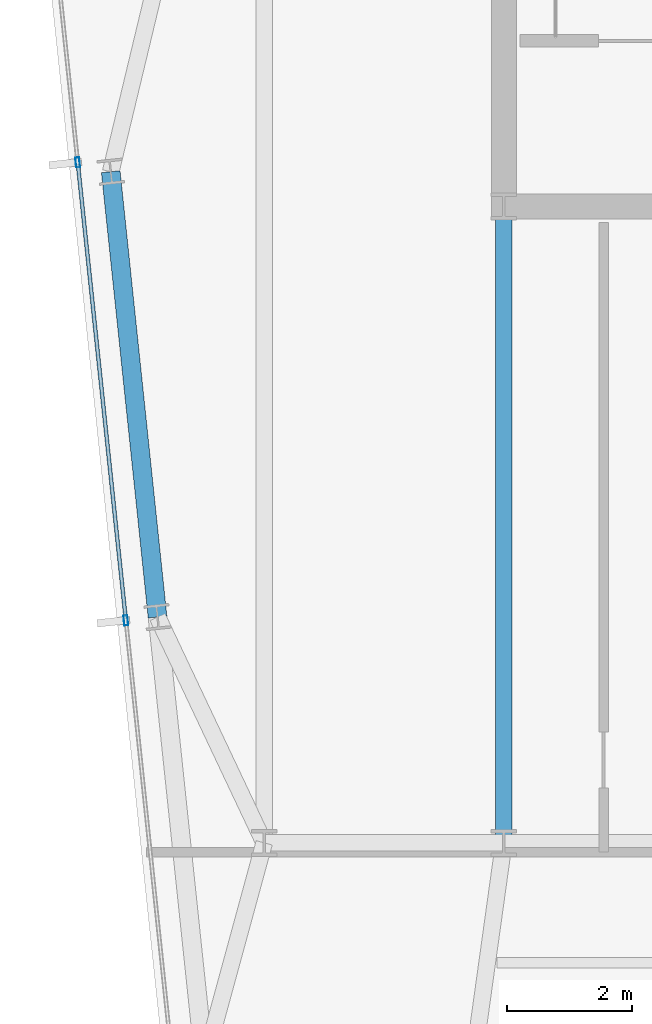
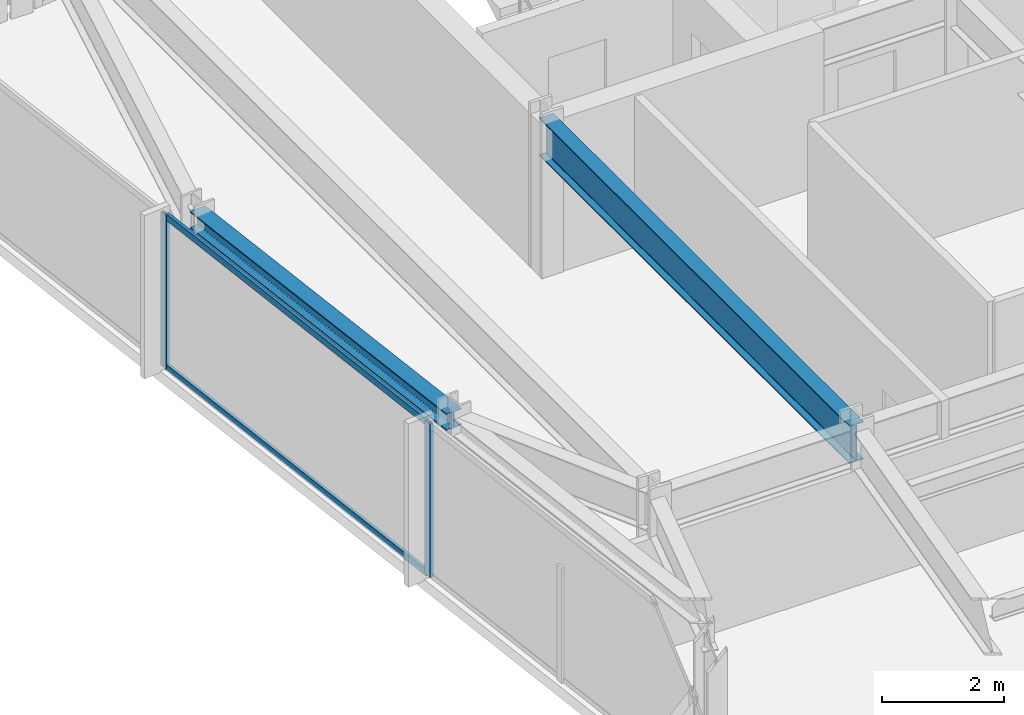
# One storey, part 10 of 33: 4 members, 2 beams, 1 element without a shape of its own.
"""IFC4 building model written with IfcOpenShell, lengths in metres."""

from ifc_helpers import new_model, si_unit, direction, frame, origin, origin_2d, place, context, subcontext, project, spatial, hollow_rectangle, i_section, extrude, material, material_profile, profile_set, type_object, element, aggregate, save


model = new_model("IFC4")

# Units and contexts
model_context = context("Model", 3, precision=1e-05, world=origin(), true_north=direction((0.0, 1.0)))
body_context = subcontext(model_context, "Body", "Model", "MODEL_VIEW")
ifc_project = project(units=[si_unit("LENGTHUNIT", "METRE"), si_unit("AREAUNIT", "SQUARE_METRE"), si_unit("VOLUMEUNIT", "CUBIC_METRE"), si_unit("PLANEANGLEUNIT", "RADIAN"), si_unit("MASSUNIT", "GRAM", prefix="KILO")], contexts=[model_context])

# Site, building, storey
site_placement = place(None, origin())
site = spatial("IfcSite", under=ifc_project, at=site_placement, CompositionType="ELEMENT")
building_placement = place(site_placement, origin())
building = spatial("IfcBuilding", under=site, at=building_placement, Name="Yelkora Congress Tower", CompositionType="ELEMENT")
storey_placement = place(building_placement, frame((0.0, 0.0, 237.5)))
storey = spatial("IfcBuildingStorey", under=building, at=storey_placement, Name="L66", CompositionType="ELEMENT", Elevation=237.5)

# Beams
ifc_material_1 = material(Name="Steel S355J2", Category="steel")
ifc_material_profile_1 = material_profile(ifc_material_1, i_section(OverallWidth=0.26708984375, OverallDepth=0.761962890625, WebThickness=0.014404296875, FlangeThickness=0.021484375, FilletRadius=0.01708984375, at=origin_2d()), Name="IPE 750x173")
ifc_profile_set_1 = profile_set([ifc_material_profile_1], Name="Steel S355J2")
beam_type_1 = type_object("IfcBeamType", Name="BM-GIRD-IPE750", PredefinedType="BEAM", material=ifc_profile_set_1)
beam_1_placement = place(storey_placement, frame((23.0400390625, 25.199951171875, 2.698974609375), z_axis=(0.0, 1.0, 0.0), x_axis=(-1.0, 0.0, 0.0)))
element("IfcBeam", 1, at=beam_1_placement, inside=storey, type_object=beam_type_1, Name="L66 Core Tie Girder MC-D1", PredefinedType="BEAM", context=body_context, shape_type="SweptSolid", body=[
    extrude(i_section(OverallWidth=0.26708984375, OverallDepth=0.761962890625, WebThickness=0.014404296875, FlangeThickness=0.021484375, FilletRadius=0.01708984375, at=origin_2d()), origin(), (0.0, 0.0, 1.0), 10.199951171875),
])
ifc_material_profile_2 = material_profile(ifc_material_1, i_section(OverallWidth=0.300048828125, OverallDepth=0.340087890625, WebThickness=0.011962890625, FlangeThickness=0.021484375, FilletRadius=0.027099609375, at=origin_2d()), Name="HEB 340")
ifc_profile_set_2 = profile_set([ifc_material_profile_2], Name="Steel S355J2")
beam_type_2 = type_object("IfcBeamType", Name="BM-SPAN-HEB340", PredefinedType="SPANDREL", material=ifc_profile_set_2)
beam_2_placement = place(storey_placement, frame((16.7412109375, 35.95458984375, 2.909912109375), z_axis=(0.104528914631, -0.994521847928, 0.0), x_axis=(0.994521847928, 0.104528914631, 0.0)))
element("IfcBeam", 2, at=beam_2_placement, inside=storey, type_object=beam_type_2, Name="L66 Perimeter Beam 17", PredefinedType="SPANDREL", context=body_context, shape_type="SweptSolid", body=[
    extrude(i_section(OverallWidth=0.300048828125, OverallDepth=0.340087890625, WebThickness=0.011962890625, FlangeThickness=0.021484375, FilletRadius=0.027099609375, at=origin_2d()), origin(), (0.0, 0.0, 1.0), 7.175048828125),
])

# Curtain wall, members
ifc_material_2 = material(Name="Anodised aluminium and insulated glass", Category="aluminium")
curtain_wall_type = type_object("IfcCurtainWallType", Name="CW-SYS-B4", PredefinedType="NOTDEFINED", material=ifc_material_2)
curtain_wall_placement = place(storey_placement, origin())
curtain_wall = element("IfcCurtainWall", 3, at=curtain_wall_placement, inside=storey, type_object=curtain_wall_type, Name="L66 Unitised Curtain Wall 5", PredefinedType="NOTDEFINED")
ifc_material_3 = material(Name="Anodised aluminium 6063-T6", Category="aluminium")
ifc_material_profile_3 = material_profile(ifc_material_3, hollow_rectangle(XDim=0.06494140625, YDim=0.159912109375, WallThickness=0.00390625, at=origin_2d()), Name="ALU 65x160x4")
ifc_profile_set_3 = profile_set([ifc_material_profile_3], Name="Anodised aluminium 6063-T6")
member_type_1 = type_object("IfcMemberType", Name="MEM-ML-B4", PredefinedType="MULLION", material=ifc_profile_set_3)
member_1_placement = place(storey_placement, frame((16.98388671875, 28.765625, 0.0), z_axis=(0.0, 0.0, 1.0), x_axis=(-0.994522145958, -0.104526079034, 0.0)))
member_1 = element("IfcMember", 4, at=member_1_placement, type_object=member_type_1, Name="CW-B4 mullion 3", PredefinedType="MULLION", context=body_context, shape_type="SweptSolid", body=[
    extrude(hollow_rectangle(XDim=0.06494140625, YDim=0.159912109375, WallThickness=0.00390625, at=origin_2d()), origin(), (0.0, 0.0, 1.0), 3.080078125),
])
member_2_placement = place(storey_placement, frame((16.21240234375, 36.105224609375, 0.0), z_axis=(0.0, 0.0, 1.0), x_axis=(-0.994522145958, -0.104526079034, 0.0)))
member_2 = element("IfcMember", 5, at=member_2_placement, type_object=member_type_1, Name="CW-B4 mullion 4", PredefinedType="MULLION", context=body_context, shape_type="SweptSolid", body=[
    extrude(hollow_rectangle(XDim=0.06494140625, YDim=0.159912109375, WallThickness=0.00390625, at=origin_2d()), origin(), (0.0, 0.0, 1.0), 3.080078125),
])
ifc_material_profile_4 = material_profile(ifc_material_3, hollow_rectangle(XDim=0.06005859375, YDim=0.1298828125, WallThickness=0.00390625, at=origin_2d()), Name="ALU 60x130x4")
ifc_profile_set_4 = profile_set([ifc_material_profile_4], Name="Anodised aluminium 6063-T6")
member_type_2 = type_object("IfcMemberType", Name="MEM-TR-B4", PredefinedType="USERDEFINED", material=ifc_profile_set_4)
member_3_placement = place(storey_placement, frame((16.98046875, 28.7978515625, 0.030029296875), z_axis=(-0.104531896307, 0.994521534535, 0.0), x_axis=(-0.994521534535, -0.104531896307, 0.0)))
member_3 = element("IfcMember", 6, at=member_3_placement, type_object=member_type_2, Name="CW-B4 transom 3.1", ObjectType="TRANSOM", PredefinedType="USERDEFINED", context=body_context, shape_type="SweptSolid", body=[
    extrude(hollow_rectangle(XDim=0.06005859375, YDim=0.1298828125, WallThickness=0.00390625, at=origin_2d()), origin(), (0.0, 0.0, 1.0), 7.31494140625),
])
member_4_placement = place(storey_placement, frame((16.98046875, 28.7978515625, 3.050048828125), z_axis=(-0.104531896307, 0.994521534535, 0.0), x_axis=(-0.994521534535, -0.104531896307, 0.0)))
member_4 = element("IfcMember", 7, at=member_4_placement, type_object=member_type_2, Name="CW-B4 transom 3.2", ObjectType="TRANSOM", PredefinedType="USERDEFINED", context=body_context, shape_type="SweptSolid", body=[
    extrude(hollow_rectangle(XDim=0.06005859375, YDim=0.1298828125, WallThickness=0.00390625, at=origin_2d()), origin(), (0.0, 0.0, 1.0), 7.31494140625),
])
aggregate(curtain_wall, [member_1, member_2, member_3, member_4])

save(model, "model.ifc")
